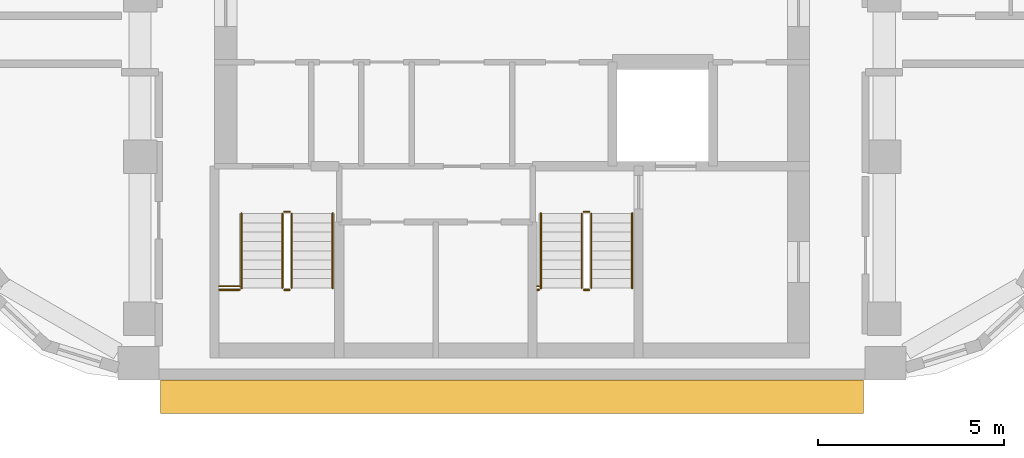
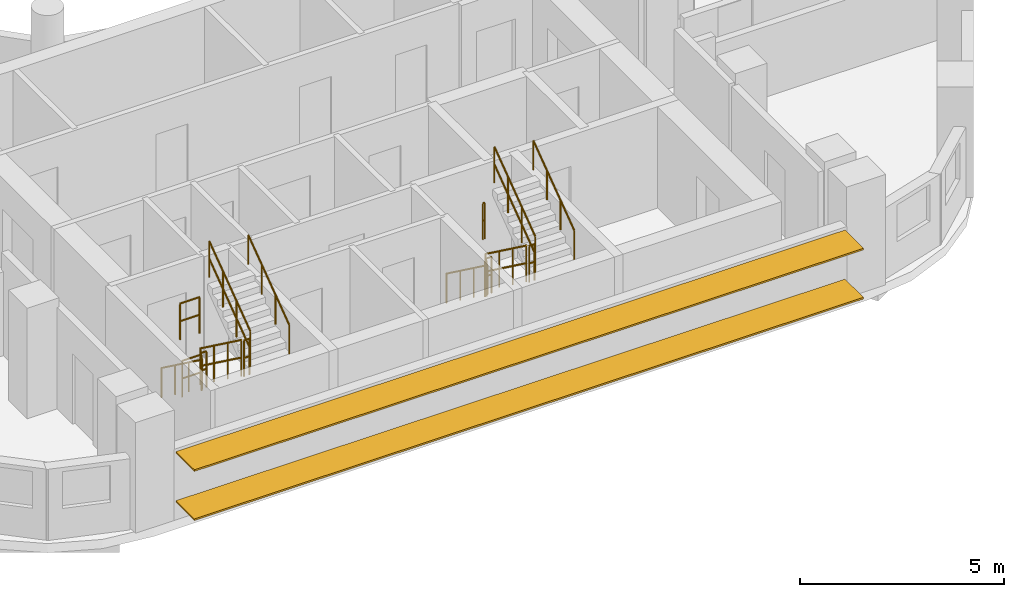
# One storey, part 11 of 13: 16 railings, 2 shading devices.
"""IFC4 building model written with IfcOpenShell, lengths in metres."""

from ifc_helpers import new_model, si_unit, direction, frame, origin, origin_2d, place, context, subcontext, project, spatial, rectangle, circle, extrude, material, material_profile, profile_set, type_object, element, save


model = new_model("IFC4")

# Units and contexts
model_context = context("Model", 3, precision=1e-05, world=origin(), true_north=direction((0.0, 1.0)))
body_context = subcontext(model_context, "Body", "Model", "MODEL_VIEW")
ifc_project = project(units=[si_unit("LENGTHUNIT", "METRE"), si_unit("AREAUNIT", "SQUARE_METRE"), si_unit("VOLUMEUNIT", "CUBIC_METRE"), si_unit("PLANEANGLEUNIT", "RADIAN"), si_unit("MASSUNIT", "GRAM", prefix="KILO")], contexts=[model_context])

# Site, building, storey
site_placement = place(None, origin())
site = spatial("IfcSite", under=ifc_project, at=site_placement, CompositionType="ELEMENT")
building_placement = place(site_placement, origin())
building = spatial("IfcBuilding", under=site, at=building_placement, Name="Nakaniwa Court", CompositionType="ELEMENT")
storey_placement = place(building_placement, frame((0.0, 0.0, 269.10009765625)))
storey = spatial("IfcBuildingStorey", under=building, at=storey_placement, Name="L71", CompositionType="ELEMENT", Elevation=269.10009765625)

# Shading devices
ifc_material_1 = material(Name="Perforated charcoal ceramic louvre blade")
ifc_material_profile = material_profile(ifc_material_1, rectangle(XDim=0.89990234375, YDim=0.050048828125, at=origin_2d()), Name="Perforated ceramic louvre blade")
ifc_profile_set = profile_set([ifc_material_profile], Name="Perforated charcoal ceramic louvre blade")
shading_device_type = type_object("IfcShadingDeviceType", Name="Perforated ceramic louvre blade", PredefinedType="JALOUSIE", material=ifc_profile_set)
for number, where, z_axis, x_axis, name in (
    (1, (70.55078125, 56.89990234375, 0.5498046875), (1.0, 0.0, 0.0), (0.0, 1.0, 0.0), "L71 perforated ceramic louvre blade w26 1"),
    (2, (70.55078125, 56.89990234375, 2.014892578125), (1.0, 0.0, 0.0), (0.0, 1.0, 0.0), "L71 perforated ceramic louvre blade w26 2"),
):
    element("IfcShadingDevice", number, at=place(storey_placement, frame(where, z_axis=z_axis, x_axis=x_axis)), inside=storey, type_object=shading_device_type, Name=name, PredefinedType="JALOUSIE", context=body_context, shape_type="SweptSolid", body=[
        extrude(rectangle(XDim=0.89990234375, YDim=0.050048828125, at=origin_2d()), origin(), (0.0, 0.0, 1.0), 18.892822265625),
    ])

# Railings
ifc_material_2 = material(Name="Black powder coated steel guard", Category="steel")
railing_type_1 = type_object("IfcRailingType", Name="Stair guard 1100", PredefinedType="GUARDRAIL", material=ifc_material_2)
railing_1_placement = place(storey_placement, frame((73.824951171875, 61.824951171875, 0.183349609375)))
element("IfcRailing", 3, at=railing_1_placement, inside=storey, type_object=railing_type_1, Name="L71 ST3 stair guard 1", PredefinedType="GUARDRAIL", context=body_context, shape_type="SweptSolid", body=[
    extrude(circle(Radius=0.02392578125, at=origin_2d()), frame((0.0, 0.0, 1.076171875), z_axis=(0.0, -0.806426902644, 0.591333789573), x_axis=(1.0, 0.0, 0.0)), (0.0, 0.0, 1.0), 2.47998046875),
    extrude(circle(Radius=0.02392578125, at=origin_2d()), frame((0.0, 0.0, 0.550048828125), z_axis=(0.0, -0.806426902644, 0.591333789573), x_axis=(1.0, 0.0, 0.0)), (0.0, 0.0, 1.0), 2.47998046875),
    extrude(circle(Radius=0.02099609375, at=origin_2d()), origin(), (0.0, 0.0, 1.0), 1.052001953125),
    extrude(circle(Radius=0.02099609375, at=origin_2d()), frame((0.0, -0.666748046875, 0.48876953125)), (0.0, 0.0, 1.0), 1.052001953125),
    extrude(circle(Radius=0.02099609375, at=origin_2d()), frame((0.0, -1.333251953125, 0.977783203125)), (0.0, 0.0, 1.0), 1.052001953125),
    extrude(circle(Radius=0.02099609375, at=origin_2d()), frame((0.0, -2.0, 1.466552734375)), (0.0, 0.0, 1.0), 1.052001953125),
])
railing_2_placement = place(storey_placement, frame((73.875, 59.77490234375, 1.64990234375)))
element("IfcRailing", 4, at=railing_2_placement, inside=storey, type_object=railing_type_1, Name="L71 ST3 stair guard 2", PredefinedType="GUARDRAIL", context=body_context, shape_type="SweptSolid", body=[
    extrude(circle(Radius=0.02392578125, at=origin_2d()), frame((0.0, 0.0, 1.076171875), z_axis=(1.0, 0.0, 0.0), x_axis=(0.0, 1.0, 0.0)), (0.0, 0.0, 1.0), 0.14990234375),
    extrude(circle(Radius=0.02392578125, at=origin_2d()), frame((0.0, 0.0, 0.550048828125), z_axis=(1.0, 0.0, 0.0), x_axis=(0.0, 1.0, 0.0)), (0.0, 0.0, 1.0), 0.14990234375),
    extrude(circle(Radius=0.02099609375, at=origin_2d()), origin(), (0.0, 0.0, 1.0), 1.052001953125),
    extrude(circle(Radius=0.02099609375, at=origin_2d()), frame((0.14990234375, 0.0, 0.0)), (0.0, 0.0, 1.0), 1.052001953125),
])
railing_3_placement = place(storey_placement, frame((74.074951171875, 59.824951171875, 1.833251953125)))
element("IfcRailing", 5, at=railing_3_placement, inside=storey, type_object=railing_type_1, Name="L71 ST3 stair guard 3", PredefinedType="GUARDRAIL", context=body_context, shape_type="SweptSolid", body=[
    extrude(circle(Radius=0.02392578125, at=origin_2d()), frame((0.0, 0.0, 1.076171875), z_axis=(0.0, 0.806426902644, 0.591333789573), x_axis=(-1.0, 0.0, 0.0)), (0.0, 0.0, 1.0), 2.47998046875),
    extrude(circle(Radius=0.02392578125, at=origin_2d()), frame((0.0, 0.0, 0.550048828125), z_axis=(0.0, 0.806426902644, 0.591333789573), x_axis=(-1.0, 0.0, 0.0)), (0.0, 0.0, 1.0), 2.47998046875),
    extrude(circle(Radius=0.02099609375, at=origin_2d()), origin(), (0.0, 0.0, 1.0), 1.052001953125),
    extrude(circle(Radius=0.02099609375, at=origin_2d()), frame((0.0, 0.666748046875, 0.48876953125)), (0.0, 0.0, 1.0), 1.052001953125),
    extrude(circle(Radius=0.02099609375, at=origin_2d()), frame((0.0, 1.333251953125, 0.977783203125)), (0.0, 0.0, 1.0), 1.052001953125),
    extrude(circle(Radius=0.02099609375, at=origin_2d()), frame((0.0, 2.0, 1.466552734375)), (0.0, 0.0, 1.0), 1.052001953125),
])
railing_4_placement = place(storey_placement, frame((73.875, 61.875, 0.0)))
element("IfcRailing", 6, at=railing_4_placement, inside=storey, type_object=railing_type_1, Name="L71 ST3 stair guard 4", PredefinedType="GUARDRAIL", context=body_context, shape_type="SweptSolid", body=[
    extrude(circle(Radius=0.02392578125, at=origin_2d()), frame((0.0, 0.0, 1.076171875), z_axis=(1.0, 0.0, 0.0), x_axis=(0.0, 1.0, 0.0)), (0.0, 0.0, 1.0), 0.14990234375),
    extrude(circle(Radius=0.02392578125, at=origin_2d()), frame((0.0, 0.0, 0.550048828125), z_axis=(1.0, 0.0, 0.0), x_axis=(0.0, 1.0, 0.0)), (0.0, 0.0, 1.0), 0.14990234375),
    extrude(circle(Radius=0.02099609375, at=origin_2d()), origin(), (0.0, 0.0, 1.0), 1.052001953125),
    extrude(circle(Radius=0.02099609375, at=origin_2d()), frame((0.14990234375, 0.0, 0.0)), (0.0, 0.0, 1.0), 1.052001953125),
])
for number, where, name in (
    (7, (72.125, 59.77490234375, 1.64990234375), "L71 ST3 landing side guard 1W"),
    (8, (72.125, 59.875, 3.2998046875), "L71 ST3 floor edge guard 1W"),
):
    element("IfcRailing", number, at=place(storey_placement, frame(where)), inside=storey, type_object=railing_type_1, Name=name, PredefinedType="GUARDRAIL", context=body_context, shape_type="SweptSolid", body=[
        extrude(circle(Radius=0.02392578125, at=origin_2d()), frame((0.0, 0.0, 1.076171875), z_axis=(1.0, 0.0, 0.0), x_axis=(0.0, 1.0, 0.0)), (0.0, 0.0, 1.0), 0.550048828125),
        extrude(circle(Radius=0.02392578125, at=origin_2d()), frame((0.0, 0.0, 0.550048828125), z_axis=(1.0, 0.0, 0.0), x_axis=(0.0, 1.0, 0.0)), (0.0, 0.0, 1.0), 0.550048828125),
        extrude(circle(Radius=0.02099609375, at=origin_2d()), origin(), (0.0, 0.0, 1.0), 1.052001953125),
        extrude(circle(Radius=0.02099609375, at=origin_2d()), frame((0.550048828125, 0.0, 0.0)), (0.0, 0.0, 1.0), 1.052001953125),
    ])
railing_5_placement = place(storey_placement, frame((81.875, 61.824951171875, 0.183349609375)))
element("IfcRailing", 9, at=railing_5_placement, inside=storey, type_object=railing_type_1, Name="L71 ST4 stair guard 1", PredefinedType="GUARDRAIL", context=body_context, shape_type="SweptSolid", body=[
    extrude(circle(Radius=0.02392578125, at=origin_2d()), frame((0.0, 0.0, 1.076171875), z_axis=(0.0, -0.806426902644, 0.591333789573), x_axis=(1.0, 0.0, 0.0)), (0.0, 0.0, 1.0), 2.47998046875),
    extrude(circle(Radius=0.02392578125, at=origin_2d()), frame((0.0, 0.0, 0.550048828125), z_axis=(0.0, -0.806426902644, 0.591333789573), x_axis=(1.0, 0.0, 0.0)), (0.0, 0.0, 1.0), 2.47998046875),
    extrude(circle(Radius=0.02099609375, at=origin_2d()), origin(), (0.0, 0.0, 1.0), 1.052001953125),
    extrude(circle(Radius=0.02099609375, at=origin_2d()), frame((0.0, -0.666748046875, 0.48876953125)), (0.0, 0.0, 1.0), 1.052001953125),
    extrude(circle(Radius=0.02099609375, at=origin_2d()), frame((0.0, -1.333251953125, 0.977783203125)), (0.0, 0.0, 1.0), 1.052001953125),
    extrude(circle(Radius=0.02099609375, at=origin_2d()), frame((0.0, -2.0, 1.466552734375)), (0.0, 0.0, 1.0), 1.052001953125),
])
railing_6_placement = place(storey_placement, frame((81.925048828125, 59.77490234375, 1.64990234375)))
element("IfcRailing", 10, at=railing_6_placement, inside=storey, type_object=railing_type_1, Name="L71 ST4 stair guard 2", PredefinedType="GUARDRAIL", context=body_context, shape_type="SweptSolid", body=[
    extrude(circle(Radius=0.02392578125, at=origin_2d()), frame((0.0, 0.0, 1.076171875), z_axis=(1.0, 0.0, 0.0), x_axis=(0.0, 1.0, 0.0)), (0.0, 0.0, 1.0), 0.14990234375),
    extrude(circle(Radius=0.02392578125, at=origin_2d()), frame((0.0, 0.0, 0.550048828125), z_axis=(1.0, 0.0, 0.0), x_axis=(0.0, 1.0, 0.0)), (0.0, 0.0, 1.0), 0.14990234375),
    extrude(circle(Radius=0.02099609375, at=origin_2d()), origin(), (0.0, 0.0, 1.0), 1.052001953125),
    extrude(circle(Radius=0.02099609375, at=origin_2d()), frame((0.14990234375, 0.0, 0.0)), (0.0, 0.0, 1.0), 1.052001953125),
])
railing_7_placement = place(storey_placement, frame((82.125, 59.824951171875, 1.833251953125)))
element("IfcRailing", 11, at=railing_7_placement, inside=storey, type_object=railing_type_1, Name="L71 ST4 stair guard 3", PredefinedType="GUARDRAIL", context=body_context, shape_type="SweptSolid", body=[
    extrude(circle(Radius=0.02392578125, at=origin_2d()), frame((0.0, 0.0, 1.076171875), z_axis=(0.0, 0.806426902644, 0.591333789573), x_axis=(-1.0, 0.0, 0.0)), (0.0, 0.0, 1.0), 2.47998046875),
    extrude(circle(Radius=0.02392578125, at=origin_2d()), frame((0.0, 0.0, 0.550048828125), z_axis=(0.0, 0.806426902644, 0.591333789573), x_axis=(-1.0, 0.0, 0.0)), (0.0, 0.0, 1.0), 2.47998046875),
    extrude(circle(Radius=0.02099609375, at=origin_2d()), origin(), (0.0, 0.0, 1.0), 1.052001953125),
    extrude(circle(Radius=0.02099609375, at=origin_2d()), frame((0.0, 0.666748046875, 0.48876953125)), (0.0, 0.0, 1.0), 1.052001953125),
    extrude(circle(Radius=0.02099609375, at=origin_2d()), frame((0.0, 1.333251953125, 0.977783203125)), (0.0, 0.0, 1.0), 1.052001953125),
    extrude(circle(Radius=0.02099609375, at=origin_2d()), frame((0.0, 2.0, 1.466552734375)), (0.0, 0.0, 1.0), 1.052001953125),
])
railing_8_placement = place(storey_placement, frame((81.925048828125, 61.875, 0.0)))
element("IfcRailing", 12, at=railing_8_placement, inside=storey, type_object=railing_type_1, Name="L71 ST4 stair guard 4", PredefinedType="GUARDRAIL", context=body_context, shape_type="SweptSolid", body=[
    extrude(circle(Radius=0.02392578125, at=origin_2d()), frame((0.0, 0.0, 1.076171875), z_axis=(1.0, 0.0, 0.0), x_axis=(0.0, 1.0, 0.0)), (0.0, 0.0, 1.0), 0.14990234375),
    extrude(circle(Radius=0.02392578125, at=origin_2d()), frame((0.0, 0.0, 0.550048828125), z_axis=(1.0, 0.0, 0.0), x_axis=(0.0, 1.0, 0.0)), (0.0, 0.0, 1.0), 0.14990234375),
    extrude(circle(Radius=0.02099609375, at=origin_2d()), origin(), (0.0, 0.0, 1.0), 1.052001953125),
    extrude(circle(Radius=0.02099609375, at=origin_2d()), frame((0.14990234375, 0.0, 0.0)), (0.0, 0.0, 1.0), 1.052001953125),
])
for number, where, name in (
    (13, (80.675048828125, 59.77490234375, 1.64990234375), "L71 ST4 landing side guard 1W"),
    (14, (80.675048828125, 59.875, 3.2998046875), "L71 ST4 floor edge guard 1W"),
):
    element("IfcRailing", number, at=place(storey_placement, frame(where)), inside=storey, type_object=railing_type_1, Name=name, PredefinedType="GUARDRAIL", context=body_context, shape_type="SweptSolid", body=[
        extrude(circle(Radius=0.02392578125, at=origin_2d()), frame((0.0, 0.0, 1.076171875), z_axis=(1.0, 0.0, 0.0), x_axis=(0.0, 1.0, 0.0)), (0.0, 0.0, 1.0), 0.050048828125),
        extrude(circle(Radius=0.02392578125, at=origin_2d()), frame((0.0, 0.0, 0.550048828125), z_axis=(1.0, 0.0, 0.0), x_axis=(0.0, 1.0, 0.0)), (0.0, 0.0, 1.0), 0.050048828125),
        extrude(circle(Radius=0.02099609375, at=origin_2d()), origin(), (0.0, 0.0, 1.0), 1.052001953125),
        extrude(circle(Radius=0.02099609375, at=origin_2d()), frame((0.050048828125, 0.0, 0.0)), (0.0, 0.0, 1.0), 1.052001953125),
    ])
ifc_material_3 = material(Name="Black powder coated steel handrail", Category="steel")
railing_type_2 = type_object("IfcRailingType", Name="Stair handrail 900", PredefinedType="HANDRAIL", material=ifc_material_3)
railing_9_placement = place(storey_placement, frame((72.72509765625, 61.824951171875, 0.183349609375)))
element("IfcRailing", 15, at=railing_9_placement, inside=storey, type_object=railing_type_2, Name="L71 ST3 stair handrail 1", PredefinedType="HANDRAIL", context=body_context, shape_type="SweptSolid", body=[
    extrude(circle(Radius=0.02392578125, at=origin_2d()), frame((0.0, 0.0, 0.8759765625), z_axis=(0.0, -0.806426902644, 0.591333789573), x_axis=(1.0, 0.0, 0.0)), (0.0, 0.0, 1.0), 2.47998046875),
    extrude(circle(Radius=0.02099609375, at=origin_2d()), origin(), (0.0, 0.0, 1.0), 0.851806640625),
    extrude(circle(Radius=0.02099609375, at=origin_2d()), frame((0.0, -0.666748046875, 0.48876953125)), (0.0, 0.0, 1.0), 0.851806640625),
    extrude(circle(Radius=0.02099609375, at=origin_2d()), frame((0.0, -1.333251953125, 0.977783203125)), (0.0, 0.0, 1.0), 0.851806640625),
    extrude(circle(Radius=0.02099609375, at=origin_2d()), frame((0.0, -2.0, 1.466552734375)), (0.0, 0.0, 1.0), 0.851806640625),
])
railing_10_placement = place(storey_placement, frame((75.175048828125, 59.824951171875, 1.833251953125)))
element("IfcRailing", 16, at=railing_10_placement, inside=storey, type_object=railing_type_2, Name="L71 ST3 stair handrail 2", PredefinedType="HANDRAIL", context=body_context, shape_type="SweptSolid", body=[
    extrude(circle(Radius=0.02392578125, at=origin_2d()), frame((0.0, 0.0, 0.8759765625), z_axis=(0.0, 0.806426902644, 0.591333789573), x_axis=(-1.0, 0.0, 0.0)), (0.0, 0.0, 1.0), 2.47998046875),
    extrude(circle(Radius=0.02099609375, at=origin_2d()), origin(), (0.0, 0.0, 1.0), 0.851806640625),
    extrude(circle(Radius=0.02099609375, at=origin_2d()), frame((0.0, 0.666748046875, 0.48876953125)), (0.0, 0.0, 1.0), 0.851806640625),
    extrude(circle(Radius=0.02099609375, at=origin_2d()), frame((0.0, 1.333251953125, 0.977783203125)), (0.0, 0.0, 1.0), 0.851806640625),
    extrude(circle(Radius=0.02099609375, at=origin_2d()), frame((0.0, 2.0, 1.466552734375)), (0.0, 0.0, 1.0), 0.851806640625),
])
railing_11_placement = place(storey_placement, frame((80.77490234375, 61.824951171875, 0.183349609375)))
element("IfcRailing", 17, at=railing_11_placement, inside=storey, type_object=railing_type_2, Name="L71 ST4 stair handrail 1", PredefinedType="HANDRAIL", context=body_context, shape_type="SweptSolid", body=[
    extrude(circle(Radius=0.02392578125, at=origin_2d()), frame((0.0, 0.0, 0.8759765625), z_axis=(0.0, -0.806426902644, 0.591333789573), x_axis=(1.0, 0.0, 0.0)), (0.0, 0.0, 1.0), 2.47998046875),
    extrude(circle(Radius=0.02099609375, at=origin_2d()), origin(), (0.0, 0.0, 1.0), 0.851806640625),
    extrude(circle(Radius=0.02099609375, at=origin_2d()), frame((0.0, -0.666748046875, 0.48876953125)), (0.0, 0.0, 1.0), 0.851806640625),
    extrude(circle(Radius=0.02099609375, at=origin_2d()), frame((0.0, -1.333251953125, 0.977783203125)), (0.0, 0.0, 1.0), 0.851806640625),
    extrude(circle(Radius=0.02099609375, at=origin_2d()), frame((0.0, -2.0, 1.466552734375)), (0.0, 0.0, 1.0), 0.851806640625),
])
railing_12_placement = place(storey_placement, frame((83.22509765625, 59.824951171875, 1.833251953125)))
element("IfcRailing", 18, at=railing_12_placement, inside=storey, type_object=railing_type_2, Name="L71 ST4 stair handrail 2", PredefinedType="HANDRAIL", context=body_context, shape_type="SweptSolid", body=[
    extrude(circle(Radius=0.02392578125, at=origin_2d()), frame((0.0, 0.0, 0.8759765625), z_axis=(0.0, 0.806426902644, 0.591333789573), x_axis=(-1.0, 0.0, 0.0)), (0.0, 0.0, 1.0), 2.47998046875),
    extrude(circle(Radius=0.02099609375, at=origin_2d()), origin(), (0.0, 0.0, 1.0), 0.851806640625),
    extrude(circle(Radius=0.02099609375, at=origin_2d()), frame((0.0, 0.666748046875, 0.48876953125)), (0.0, 0.0, 1.0), 0.851806640625),
    extrude(circle(Radius=0.02099609375, at=origin_2d()), frame((0.0, 1.333251953125, 0.977783203125)), (0.0, 0.0, 1.0), 0.851806640625),
    extrude(circle(Radius=0.02099609375, at=origin_2d()), frame((0.0, 2.0, 1.466552734375)), (0.0, 0.0, 1.0), 0.851806640625),
])

save(model, "model.ifc")
